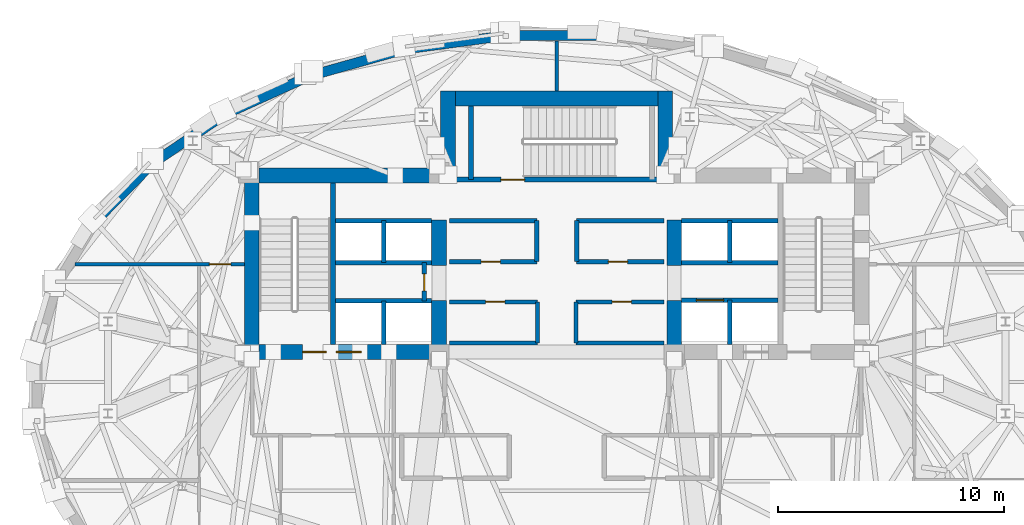
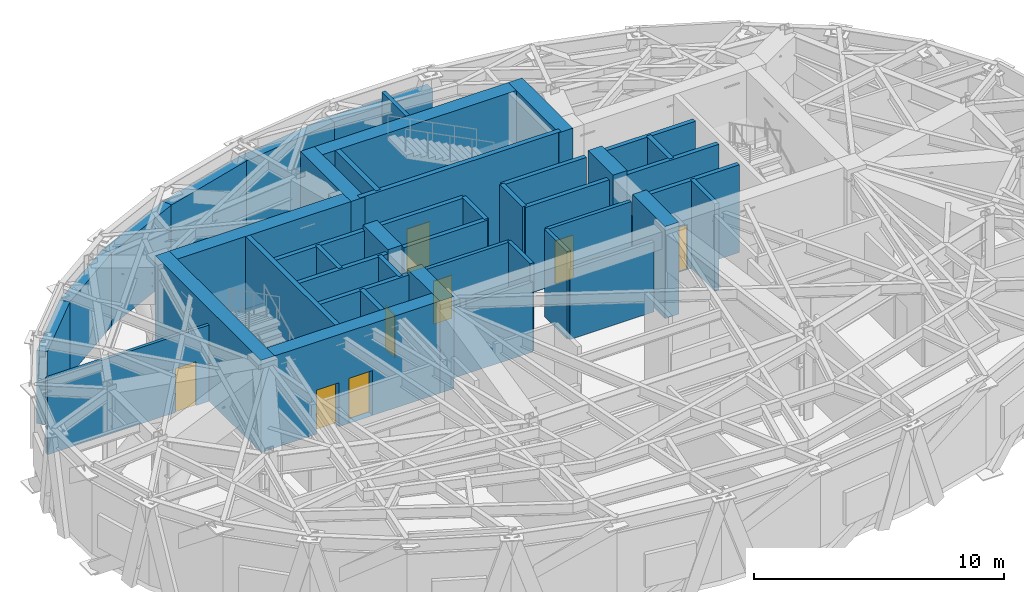
# One storey, part 7 of 12: 44 walls, 10 doors, 10 openings.
"""IFC4 building model written with IfcOpenShell, lengths in metres."""

from ifc_helpers import new_model, si_unit, direction, frame, frame_2d, origin, place, context, subcontext, project, spatial, rectangle, extrude, material, layer, layer_set, type_object, element, fill, save


model = new_model("IFC4")

# Units and contexts
model_context = context("Model", 3, precision=1e-05, world=origin(), true_north=direction((0.0, 1.0)))
body_context = subcontext(model_context, "Body", "Model", "MODEL_VIEW")
ifc_project = project(units=[si_unit("LENGTHUNIT", "METRE"), si_unit("AREAUNIT", "SQUARE_METRE"), si_unit("VOLUMEUNIT", "CUBIC_METRE"), si_unit("PLANEANGLEUNIT", "RADIAN"), si_unit("MASSUNIT", "GRAM", prefix="KILO")], contexts=[model_context])

# Site, building, storey
site_placement = place(None, origin())
site = spatial("IfcSite", under=ifc_project, at=site_placement, CompositionType="ELEMENT")
building_placement = place(site_placement, origin())
building = spatial("IfcBuilding", under=site, at=building_placement, Name="Keldmark Tower", CompositionType="ELEMENT")
storey_placement = place(building_placement, frame((0.0, 0.0, 201.39990234375)))
storey = spatial("IfcBuildingStorey", under=building, at=storey_placement, Name="L56", CompositionType="ELEMENT", Elevation=201.39990234375)

# Wall, opening, door
ifc_material_1 = material(Name="Acoustic Double-Layer Gypsum Corridor Partition", Category="gypsum")
ifc_layer_1 = layer(ifc_material_1, 0.139892578125)
ifc_layer_set_1 = layer_set([ifc_layer_1], Name="Acoustic Double-Layer Gypsum Corridor Partition")
wall_type_1 = type_object("IfcWallType", Name="Acoustic Corridor Partition 140 mm", PredefinedType="PARTITIONING", material=ifc_layer_set_1)
wall_1_placement = place(storey_placement, frame((-21.27490234375, 5.39990234375, 0.0), z_axis=(0.0, 0.0, 1.0), x_axis=(1.0, 0.0, 0.0)))
wall_1 = element("IfcWall", 1, at=wall_1_placement, inside=storey, type_object=wall_type_1, Name="L56 Acoustic Corridor Partition 140 mm PCOR-WN", PredefinedType="PARTITIONING", context=body_context, shape_type="SweptSolid", body=[
    extrude(rectangle(XDim=7.474853515625, YDim=0.139892578125, at=frame_2d((3.7373046875, 0.0))), origin(), (0.0, 0.0, 1.0), 3.733154296875),
])
opening_1_placement = place(wall_1_placement, frame((5.92431640625, 0.0, 0.0)))
opening_1 = element("IfcOpeningElement", 2, at=opening_1_placement, cuts=wall_1, Name="Opening D-AWC95", PredefinedType="OPENING", context=body_context, shape_type="SweptSolid", body=[
    extrude(rectangle(XDim=0.949951171875, YDim=2.14990234375, at=frame_2d((0.47509765625, 1.074951171875))), frame((0.0, 0.079833984375, 0.0), z_axis=(0.0, -1.0, 0.0), x_axis=(1.0, 0.0, 0.0)), (0.0, 0.0, 1.0), 0.159912109375),
])
ifc_material_2 = material(Name="Painted Solid-Core Architectural Wood", Category="wood")
door_type_1 = type_object("IfcDoorType", Name="Accessible WC Door 950x2150", OperationType="NOTDEFINED", PredefinedType="DOOR", material=ifc_material_2)
door_1_placement = place(opening_1_placement, origin())
door_1 = element("IfcDoor", 3, at=door_1_placement, inside=storey, type_object=door_type_1, Name="L56 Accessible WC Door 950x2150 D-NRNW-L56", OperationType="SINGLE_SWING_LEFT", OverallHeight=2.14990234375, OverallWidth=0.949951171875, PredefinedType="DOOR", context=body_context, shape_type="SweptSolid", body=[
    extrude(rectangle(XDim=0.949951171875, YDim=2.14990234375, at=frame_2d((0.47509765625, 1.074951171875))), frame((0.0, 0.02490234375, 0.0), z_axis=(0.0, -1.0, 0.0), x_axis=(1.0, 0.0, 0.0)), (0.0, 0.0, 1.0), 0.050048828125),
])
fill(opening_1, door_1)

# Wall
ifc_material_3 = material(Name="Type X Fire-Rated Gypsum Partition Assembly", Category="gypsum")
ifc_layer_2 = layer(ifc_material_3, 0.1650390625)
ifc_layer_set_2 = layer_set([ifc_layer_2], Name="Type X Fire-Rated Gypsum Partition Assembly")
wall_type_2 = type_object("IfcWallType", Name="Rated Partition 165 mm", PredefinedType="PARTITIONING", material=ifc_layer_set_2)
wall_2_placement = place(storey_placement, frame((-4.739990234375, 1.919921875, 0.0), z_axis=(0.0, 0.0, 1.0), x_axis=(1.0, 0.0, 0.0)))
element("IfcWall", 4, at=wall_2_placement, inside=storey, type_object=wall_type_2, Name="L56 Rated Partition 165 mm REC-LW-S", PredefinedType="PARTITIONING", context=body_context, shape_type="SweptSolid", body=[
    extrude(rectangle(XDim=3.889892578125, YDim=0.1650390625, at=frame_2d((1.94482421875, 0.0))), origin(), (0.0, 0.0, 1.0), 3.420166015625),
])

# Wall, opening, door
wall_3_placement = place(storey_placement, frame((-4.739990234375, 3.739990234375, 0.0), z_axis=(0.0, 0.0, 1.0), x_axis=(1.0, 0.0, 0.0)))
wall_3 = element("IfcWall", 5, at=wall_3_placement, inside=storey, type_object=wall_type_2, Name="L56 Rated Partition 165 mm REC-LW-N", PredefinedType="PARTITIONING", context=body_context, shape_type="SweptSolid", body=[
    extrude(rectangle(XDim=3.889892578125, YDim=0.1650390625, at=frame_2d((1.94482421875, 0.0))), origin(), (0.0, 0.0, 1.0), 4.280029296875),
])
opening_2_placement = place(wall_3_placement, frame((1.60009765625, 0.0, 0.0)))
opening_2 = element("IfcOpeningElement", 6, at=opening_2_placement, cuts=wall_3, Name="Opening D-SV085", PredefinedType="OPENING", context=body_context, shape_type="SweptSolid", body=[
    extrude(rectangle(XDim=0.85009765625, YDim=2.10009765625, at=frame_2d((0.425048828125, 1.050048828125))), frame((0.0, 0.092529296875, 0.0), z_axis=(0.0, -1.0, 0.0), x_axis=(1.0, 0.0, 0.0)), (0.0, 0.0, 1.0), 0.18505859375),
])
ifc_material_4 = material(Name="Painted Hollow Metal Door Assembly", Category="metal")
door_type_2 = type_object("IfcDoorType", Name="Service Door 850x2100", OperationType="NOTDEFINED", PredefinedType="DOOR", material=ifc_material_4)
door_2_placement = place(opening_2_placement, origin())
door_2 = element("IfcDoor", 7, at=door_2_placement, inside=storey, type_object=door_type_2, Name="L56 Service Door 850x2100 D-RECLW1-L56", OperationType="SINGLE_SWING_LEFT", OverallHeight=2.10009765625, OverallWidth=0.85009765625, PredefinedType="DOOR", context=body_context, shape_type="SweptSolid", body=[
    extrude(rectangle(XDim=0.85009765625, YDim=2.10009765625, at=frame_2d((0.425048828125, 1.050048828125))), frame((0.0, 0.02490234375, 0.0), z_axis=(0.0, -1.0, 0.0), x_axis=(1.0, 0.0, 0.0)), (0.0, 0.0, 1.0), 0.050048828125),
])
fill(opening_2, door_2)

# Walls
wall_4_placement = place(storey_placement, frame((-0.85009765625, 1.919921875, 0.0), z_axis=(0.0, 0.0, 1.0), x_axis=(0.0, 1.0, 0.0)))
element("IfcWall", 8, at=wall_4_placement, inside=storey, type_object=wall_type_2, Name="L56 Rated Partition 165 mm REC-LW-E", PredefinedType="PARTITIONING", context=body_context, shape_type="SweptSolid", body=[
    extrude(rectangle(XDim=1.820068359375, YDim=0.1650390625, at=frame_2d((0.91015625, 0.0))), origin(), (0.0, 0.0, 1.0), 4.280029296875),
])
wall_5_placement = place(storey_placement, frame((0.85009765625, 1.919921875, 0.0), z_axis=(0.0, 0.0, 1.0), x_axis=(1.0, 0.0, 0.0)))
element("IfcWall", 9, at=wall_5_placement, inside=storey, type_object=wall_type_2, Name="L56 Rated Partition 165 mm REC-LE-S", PredefinedType="PARTITIONING", context=body_context, shape_type="SweptSolid", body=[
    extrude(rectangle(XDim=3.889892578125, YDim=0.1650390625, at=frame_2d((1.94482421875, 0.0))), origin(), (0.0, 0.0, 1.0), 3.420166015625),
])

# Wall, opening, door
wall_6_placement = place(storey_placement, frame((0.85009765625, 3.739990234375, 0.0), z_axis=(0.0, 0.0, 1.0), x_axis=(1.0, 0.0, 0.0)))
wall_6 = element("IfcWall", 10, at=wall_6_placement, inside=storey, type_object=wall_type_2, Name="L56 Rated Partition 165 mm REC-LE-N", PredefinedType="PARTITIONING", context=body_context, shape_type="SweptSolid", body=[
    extrude(rectangle(XDim=3.889892578125, YDim=0.1650390625, at=frame_2d((1.94482421875, 0.0))), origin(), (0.0, 0.0, 1.0), 4.280029296875),
])
opening_3_placement = place(wall_6_placement, frame((1.60009765625, 0.0, 0.0)))
opening_3 = element("IfcOpeningElement", 11, at=opening_3_placement, cuts=wall_6, Name="Opening D-SV085", PredefinedType="OPENING", context=body_context, shape_type="SweptSolid", body=[
    extrude(rectangle(XDim=0.85009765625, YDim=2.10009765625, at=frame_2d((0.425048828125, 1.050048828125))), frame((0.0, 0.092529296875, 0.0), z_axis=(0.0, -1.0, 0.0), x_axis=(1.0, 0.0, 0.0)), (0.0, 0.0, 1.0), 0.18505859375),
])
door_3_placement = place(opening_3_placement, origin())
door_3 = element("IfcDoor", 12, at=door_3_placement, inside=storey, type_object=door_type_2, Name="L56 Service Door 850x2100 D-RECLE1-L56", OperationType="SINGLE_SWING_RIGHT", OverallHeight=2.10009765625, OverallWidth=0.85009765625, PredefinedType="DOOR", context=body_context, shape_type="SweptSolid", body=[
    extrude(rectangle(XDim=0.85009765625, YDim=2.10009765625, at=frame_2d((0.425048828125, 1.050048828125))), frame((0.0, 0.02490234375, 0.0), z_axis=(0.0, -1.0, 0.0), x_axis=(1.0, 0.0, 0.0)), (0.0, 0.0, 1.0), 0.050048828125),
])
fill(opening_3, door_3)

# Walls
wall_7_placement = place(storey_placement, frame((0.85009765625, 1.919921875, 0.0), z_axis=(0.0, 0.0, 1.0), x_axis=(0.0, 1.0, 0.0)))
element("IfcWall", 13, at=wall_7_placement, inside=storey, type_object=wall_type_2, Name="L56 Rated Partition 165 mm REC-LE-W", PredefinedType="PARTITIONING", context=body_context, shape_type="SweptSolid", body=[
    extrude(rectangle(XDim=1.820068359375, YDim=0.1650390625, at=frame_2d((0.91015625, 0.0))), origin(), (0.0, 0.0, 1.0), 4.280029296875),
])
wall_8_placement = place(storey_placement, frame((0.0, 13.050048828125, 0.0), z_axis=(0.0, 0.0, 1.0), x_axis=(0.0, 1.0, 0.0)))
element("IfcWall", 14, at=wall_8_placement, inside=storey, type_object=wall_type_2, Name="L56 Rated Partition 165 mm NPL-DIV", PredefinedType="PARTITIONING", context=body_context, shape_type="SweptSolid", body=[
    extrude(rectangle(XDim=2.225830078125, YDim=0.1650390625, at=frame_2d((1.11279296875, 0.0))), origin(), (0.0, 0.0, 1.0), 4.280029296875),
])
ifc_material_5 = material(Name="Fire-Resistant Type X Gypsum Shaftliner Coreboard", Category="gypsum")
ifc_layer_3 = layer(ifc_material_5, 0.199951171875)
ifc_layer_set_3 = layer_set([ifc_layer_3], Name="Fire-Resistant Type X Gypsum Shaftliner Coreboard")
wall_type_3 = type_object("IfcWallType", Name="Shaft Wall 200 mm", PredefinedType="SOLIDWALL", material=ifc_layer_set_3)
wall_9_placement = place(storey_placement, frame((-9.780029296875, 3.780029296875, 0.0), z_axis=(0.0, 0.0, 1.0), x_axis=(1.0, 0.0, 0.0)))
element("IfcWall", 15, at=wall_9_placement, inside=storey, type_object=wall_type_3, Name="L56 Shaft Wall 200 mm HW-W-S", PredefinedType="SOLIDWALL", context=body_context, shape_type="SweptSolid", body=[
    extrude(rectangle(XDim=4.255126953125, YDim=0.199951171875, at=frame_2d((2.12744140625, 0.0))), origin(), (0.0, 0.0, 1.0), 4.280029296875),
])
wall_10_placement = place(storey_placement, frame((-7.64990234375, 1.85009765625, 0.0), z_axis=(0.0, 0.0, 1.0), x_axis=(0.0, 1.0, 0.0)))
element("IfcWall", 16, at=wall_10_placement, inside=storey, type_object=wall_type_3, Name="L56 Shaft Wall 200 mm HW-W-M", PredefinedType="SOLIDWALL", context=body_context, shape_type="SweptSolid", body=[
    extrude(rectangle(XDim=1.929931640625, YDim=0.199951171875, at=frame_2d((0.96484375, 0.0))), origin(), (0.0, 0.0, 1.0), 4.280029296875),
])
for number, where, z_axis, x_axis, name in (
    (17, (-9.780029296875, 5.469970703125, 0.0), (0.0, 0.0, 1.0), (1.0, 0.0, 0.0), "L56 Shaft Wall 200 mm HW-W-N"),
    (18, (-9.780029296875, 7.330078125, 0.0), (0.0, 0.0, 1.0), (1.0, 0.0, 0.0), "L56 Shaft Wall 200 mm HW-W-TOP"),
):
    element("IfcWall", number, at=place(storey_placement, frame(where, z_axis=z_axis, x_axis=x_axis)), inside=storey, type_object=wall_type_3, Name=name, PredefinedType="SOLIDWALL", context=body_context, shape_type="SweptSolid", body=[
        extrude(rectangle(XDim=4.255126953125, YDim=0.199951171875, at=frame_2d((2.12744140625, 0.0))), origin(), (0.0, 0.0, 1.0), 4.280029296875),
    ])
wall_11_placement = place(storey_placement, frame((-7.64990234375, 5.469970703125, 0.0), z_axis=(0.0, 0.0, 1.0), x_axis=(0.0, 1.0, 0.0)))
element("IfcWall", 19, at=wall_11_placement, inside=storey, type_object=wall_type_3, Name="L56 Shaft Wall 200 mm HW-W-NM", PredefinedType="SOLIDWALL", context=body_context, shape_type="SweptSolid", body=[
    extrude(rectangle(XDim=1.860107421875, YDim=0.199951171875, at=frame_2d((0.93017578125, 0.0))), origin(), (0.0, 0.0, 1.0), 4.280029296875),
])

# Wall, opening, door
wall_12_placement = place(storey_placement, frame((-5.85009765625, 3.780029296875, 0.0), z_axis=(0.0, 0.0, 1.0), x_axis=(0.0, 1.0, 0.0)))
wall_12 = element("IfcWall", 20, at=wall_12_placement, inside=storey, type_object=wall_type_3, Name="L56 Shaft Wall 200 mm HW-W-CLOSE", PredefinedType="SOLIDWALL", context=body_context, shape_type="SweptSolid", body=[
    extrude(rectangle(XDim=1.68994140625, YDim=0.199951171875, at=frame_2d((0.844970703125, 0.0))), origin(), (0.0, 0.0, 1.0), 4.280029296875),
])
opening_4_placement = place(wall_12_placement, frame((0.449951171875, 0.0, 0.0)))
opening_4 = element("IfcOpeningElement", 21, at=opening_4_placement, cuts=wall_12, Name="Opening D-RS075", PredefinedType="OPENING", context=body_context, shape_type="SweptSolid", body=[
    extrude(rectangle(XDim=0.75, YDim=2.10009765625, at=frame_2d((0.375, 1.050048828125))), frame((0.0, 0.10986328125, 0.0), z_axis=(0.0, -1.0, 0.0), x_axis=(1.0, 0.0, 0.0)), (0.0, 0.0, 1.0), 0.219970703125),
])
ifc_material_6 = material(Name="Galvanized Fire-Rated Access Leaf", Category="metal")
door_type_3 = type_object("IfcDoorType", Name="Riser Access Door 750x2100", OperationType="NOTDEFINED", PredefinedType="DOOR", material=ifc_material_6)
door_4_placement = place(opening_4_placement, origin())
door_4 = element("IfcDoor", 22, at=door_4_placement, inside=storey, type_object=door_type_3, Name="L56 Riser Access Door 750x2100 D-RISHW-L56", OperationType="SINGLE_SWING_RIGHT", OverallHeight=2.10009765625, OverallWidth=0.75, PredefinedType="DOOR", context=body_context, shape_type="SweptSolid", body=[
    extrude(rectangle(XDim=0.75, YDim=2.10009765625, at=frame_2d((0.375, 1.050048828125))), frame((0.0, 0.02490234375, 0.0), z_axis=(0.0, -1.0, 0.0), x_axis=(1.0, 0.0, 0.0)), (0.0, 0.0, 1.0), 0.050048828125),
])
fill(opening_4, door_4)

wall_13_placement = place(storey_placement, frame((5.52490234375, 3.820068359375, 0.0), z_axis=(0.0, 0.0, 1.0), x_axis=(1.0, 0.0, 0.0)))
wall_13 = element("IfcWall", 23, at=wall_13_placement, inside=storey, type_object=wall_type_3, Name="L56 Shaft Wall 200 mm HW-E-S", PredefinedType="SOLIDWALL", context=body_context, shape_type="SweptSolid", body=[
    extrude(rectangle(XDim=4.255126953125, YDim=0.199951171875, at=frame_2d((2.12744140625, 0.0))), origin(), (0.0, 0.0, 1.0), 4.280029296875),
])
opening_5_placement = place(wall_13_placement, frame((0.64990234375, 0.0, 0.0)))
opening_5 = element("IfcOpeningElement", 24, at=opening_5_placement, cuts=wall_13, Name="Opening LD-120", PredefinedType="OPENING", context=body_context, shape_type="SweptSolid", body=[
    extrude(rectangle(XDim=1.199951171875, YDim=2.199951171875, at=frame_2d((0.60009765625, 1.10009765625))), frame((0.0, 0.10986328125, 0.0), z_axis=(0.0, -1.0, 0.0), x_axis=(1.0, 0.0, 0.0)), (0.0, 0.0, 1.0), 0.219970703125),
])
ifc_material_7 = material(Name="Heavy-Duty Brushed Metal Hoistway Sliding Leaf", Category="metal")
door_type_4 = type_object("IfcDoorType", Name="Service Lift Sliding Door 1200x2200", OperationType="SLIDING_TO_RIGHT", PredefinedType="DOOR", material=ifc_material_7)
door_5_placement = place(opening_5_placement, origin())
door_5 = element("IfcDoor", 25, at=door_5_placement, inside=storey, type_object=door_type_4, Name="L56 Service Lift Sliding Door 1200x2200 LD-EL-SV1-L56", OperationType="SLIDING_TO_RIGHT", OverallHeight=2.199951171875, OverallWidth=1.199951171875, PredefinedType="DOOR", context=body_context, shape_type="SweptSolid", body=[
    extrude(rectangle(XDim=1.199951171875, YDim=2.199951171875, at=frame_2d((0.60009765625, 1.10009765625))), frame((0.0, 0.02490234375, 0.0), z_axis=(0.0, -1.0, 0.0), x_axis=(1.0, 0.0, 0.0)), (0.0, 0.0, 1.0), 0.050048828125),
])
fill(opening_5, door_5)

# Walls
wall_14_placement = place(storey_placement, frame((7.64990234375, 1.85009765625, 0.0), z_axis=(0.0, 0.0, 1.0), x_axis=(0.0, 1.0, 0.0)))
element("IfcWall", 26, at=wall_14_placement, inside=storey, type_object=wall_type_3, Name="L56 Shaft Wall 200 mm HW-E-M", PredefinedType="SOLIDWALL", context=body_context, shape_type="SweptSolid", body=[
    extrude(rectangle(XDim=1.969970703125, YDim=0.199951171875, at=frame_2d((0.98486328125, 0.0))), origin(), (0.0, 0.0, 1.0), 4.280029296875),
])
for number, where, z_axis, x_axis, name in (
    (27, (5.52490234375, 5.469970703125, 0.0), (0.0, 0.0, 1.0), (1.0, 0.0, 0.0), "L56 Shaft Wall 200 mm HW-E-N"),
    (28, (5.52490234375, 7.330078125, 0.0), (0.0, 0.0, 1.0), (1.0, 0.0, 0.0), "L56 Shaft Wall 200 mm HW-E-TOP"),
):
    element("IfcWall", number, at=place(storey_placement, frame(where, z_axis=z_axis, x_axis=x_axis)), inside=storey, type_object=wall_type_3, Name=name, PredefinedType="SOLIDWALL", context=body_context, shape_type="SweptSolid", body=[
        extrude(rectangle(XDim=4.255126953125, YDim=0.199951171875, at=frame_2d((2.12744140625, 0.0))), origin(), (0.0, 0.0, 1.0), 4.280029296875),
    ])
wall_15_placement = place(storey_placement, frame((7.64990234375, 5.469970703125, 0.0), z_axis=(0.0, 0.0, 1.0), x_axis=(0.0, 1.0, 0.0)))
element("IfcWall", 29, at=wall_15_placement, inside=storey, type_object=wall_type_3, Name="L56 Shaft Wall 200 mm HW-E-NM", PredefinedType="SOLIDWALL", context=body_context, shape_type="SweptSolid", body=[
    extrude(rectangle(XDim=1.860107421875, YDim=0.199951171875, at=frame_2d((0.93017578125, 0.0))), origin(), (0.0, 0.0, 1.0), 4.280029296875),
])

# Wall, opening, door
wall_16_placement = place(storey_placement, frame((-4.739990234375, 5.52001953125, 0.0), z_axis=(0.0, 0.0, 1.0), x_axis=(1.0, 0.0, 0.0)))
wall_16 = element("IfcWall", 30, at=wall_16_placement, inside=storey, type_object=wall_type_3, Name="L56 Shaft Wall 200 mm MID-OV-S", PredefinedType="SOLIDWALL", context=body_context, shape_type="SweptSolid", body=[
    extrude(rectangle(XDim=3.860107421875, YDim=0.199951171875, at=frame_2d((1.93017578125, 0.0))), origin(), (0.0, 0.0, 1.0), 4.280029296875),
])
opening_6_placement = place(wall_16_placement, frame((1.39990234375, 0.0, 0.0)))
opening_6 = element("IfcOpeningElement", 31, at=opening_6_placement, cuts=wall_16, Name="Opening D-SV085", PredefinedType="OPENING", context=body_context, shape_type="SweptSolid", body=[
    extrude(rectangle(XDim=0.85009765625, YDim=2.10009765625, at=frame_2d((0.425048828125, 1.050048828125))), frame((0.0, 0.10986328125, 0.0), z_axis=(0.0, -1.0, 0.0), x_axis=(1.0, 0.0, 0.0)), (0.0, 0.0, 1.0), 0.219970703125),
])
door_6_placement = place(opening_6_placement, origin())
door_6 = element("IfcDoor", 32, at=door_6_placement, inside=storey, type_object=door_type_2, Name="L56 Service Door 850x2100 D-OVMID-W-L56", OperationType="SINGLE_SWING_LEFT", OverallHeight=2.10009765625, OverallWidth=0.85009765625, PredefinedType="DOOR", context=body_context, shape_type="SweptSolid", body=[
    extrude(rectangle(XDim=0.85009765625, YDim=2.10009765625, at=frame_2d((0.425048828125, 1.050048828125))), frame((0.0, 0.02490234375, 0.0), z_axis=(0.0, -1.0, 0.0), x_axis=(1.0, 0.0, 0.0)), (0.0, 0.0, 1.0), 0.050048828125),
])
fill(opening_6, door_6)

wall_17_placement = place(storey_placement, frame((0.8798828125, 5.52001953125, 0.0), z_axis=(0.0, 0.0, 1.0), x_axis=(1.0, 0.0, 0.0)))
wall_17 = element("IfcWall", 33, at=wall_17_placement, inside=storey, type_object=wall_type_3, Name="L56 Shaft Wall 200 mm MID-OV-SE", PredefinedType="SOLIDWALL", context=body_context, shape_type="SweptSolid", body=[
    extrude(rectangle(XDim=3.860107421875, YDim=0.199951171875, at=frame_2d((1.93017578125, 0.0))), origin(), (0.0, 0.0, 1.0), 4.280029296875),
])
opening_7_placement = place(wall_17_placement, frame((1.39990234375, 0.0, 0.0)))
opening_7 = element("IfcOpeningElement", 34, at=opening_7_placement, cuts=wall_17, Name="Opening D-SV085", PredefinedType="OPENING", context=body_context, shape_type="SweptSolid", body=[
    extrude(rectangle(XDim=0.85009765625, YDim=2.10009765625, at=frame_2d((0.425048828125, 1.050048828125))), frame((0.0, 0.10986328125, 0.0), z_axis=(0.0, -1.0, 0.0), x_axis=(1.0, 0.0, 0.0)), (0.0, 0.0, 1.0), 0.219970703125),
])
door_7_placement = place(opening_7_placement, origin())
door_7 = element("IfcDoor", 35, at=door_7_placement, inside=storey, type_object=door_type_2, Name="L56 Service Door 850x2100 D-OVMID-E-L56", OperationType="SINGLE_SWING_RIGHT", OverallHeight=2.10009765625, OverallWidth=0.85009765625, PredefinedType="DOOR", context=body_context, shape_type="SweptSolid", body=[
    extrude(rectangle(XDim=0.85009765625, YDim=2.10009765625, at=frame_2d((0.425048828125, 1.050048828125))), frame((0.0, 0.02490234375, 0.0), z_axis=(0.0, -1.0, 0.0), x_axis=(1.0, 0.0, 0.0)), (0.0, 0.0, 1.0), 0.050048828125),
])
fill(opening_7, door_7)

# Walls
for number, where, z_axis, x_axis, name in (
    (36, (-4.739990234375, 7.330078125, 0.0), (0.0, 0.0, 1.0), (1.0, 0.0, 0.0), "L56 Shaft Wall 200 mm MID-OV-N"),
    (37, (0.8798828125, 7.330078125, 0.0), (0.0, 0.0, 1.0), (1.0, 0.0, 0.0), "L56 Shaft Wall 200 mm MID-OV-NE"),
):
    element("IfcWall", number, at=place(storey_placement, frame(where, z_axis=z_axis, x_axis=x_axis)), inside=storey, type_object=wall_type_3, Name=name, PredefinedType="SOLIDWALL", context=body_context, shape_type="SweptSolid", body=[
        extrude(rectangle(XDim=3.860107421875, YDim=0.199951171875, at=frame_2d((1.93017578125, 0.0))), origin(), (0.0, 0.0, 1.0), 4.280029296875),
    ])
for number, where, z_axis, x_axis, name in (
    (38, (-0.8798828125, 5.52001953125, 0.0), (0.0, 0.0, 1.0), (0.0, 1.0, 0.0), "L56 Shaft Wall 200 mm MID-OV-CW"),
    (39, (0.8798828125, 5.52001953125, 0.0), (0.0, 0.0, 1.0), (0.0, 1.0, 0.0), "L56 Shaft Wall 200 mm MID-OV-CE"),
):
    element("IfcWall", number, at=place(storey_placement, frame(where, z_axis=z_axis, x_axis=x_axis)), inside=storey, type_object=wall_type_3, Name=name, PredefinedType="SOLIDWALL", context=body_context, shape_type="SweptSolid", body=[
        extrude(rectangle(XDim=1.81005859375, YDim=0.199951171875, at=frame_2d((0.905029296875, 0.0))), origin(), (0.0, 0.0, 1.0), 4.280029296875),
    ])
ifc_material_8 = material(Name="Concrete C50/60", Category="concrete")
ifc_layer_4 = layer(ifc_material_8, 0.219970703125)
ifc_layer_set_4 = layer_set([ifc_layer_4], Name="Concrete C50/60")
wall_type_4 = type_object("IfcWallType", Name="Stair Core Shear Wall 220 mm", PredefinedType="SHEAR", material=ifc_layer_set_4)
wall_18_placement = place(storey_placement, frame((-9.889892578125, 1.85009765625, 0.0), z_axis=(0.0, 0.0, 1.0), x_axis=(0.0, 1.0, 0.0)))
element("IfcWall", 40, at=wall_18_placement, inside=storey, type_object=wall_type_4, Name="L56 West Stair Core Shear Wall", PredefinedType="SHEAR", context=body_context, shape_type="SweptSolid", body=[
    extrude(rectangle(XDim=7.14990234375, YDim=0.219970703125, at=frame_2d((3.574951171875, 0.0))), origin(), (0.0, 0.0, 1.0), 4.5),
])

# Wall, opening, door
wall_19_placement = place(storey_placement, frame((-4.699951171875, 9.139892578125, 0.0), z_axis=(0.0, 0.0, 1.0), x_axis=(1.0, 0.0, 0.0)))
wall_19 = element("IfcWall", 41, at=wall_19_placement, inside=storey, type_object=wall_type_4, Name="L56 Central Stair Core South Shear Wall", PredefinedType="SHEAR", context=body_context, shape_type="SweptSolid", body=[
    extrude(rectangle(XDim=9.300048828125, YDim=0.219970703125, at=frame_2d((4.64990234375, 0.0))), origin(), (0.0, 0.0, 1.0), 4.5),
])
opening_8_placement = place(wall_19_placement, frame((2.22998046875, 0.0, 0.0)))
opening_8 = element("IfcOpeningElement", 42, at=opening_8_placement, cuts=wall_19, Name="Opening D-ST105", PredefinedType="OPENING", context=body_context, shape_type="SweptSolid", body=[
    extrude(rectangle(XDim=1.050048828125, YDim=2.14990234375, at=frame_2d((0.52490234375, 1.074951171875))), frame((0.0, 0.119873046875, 0.0), z_axis=(0.0, -1.0, 0.0), x_axis=(1.0, 0.0, 0.0)), (0.0, 0.0, 1.0), 0.239990234375),
])
ifc_material_9 = material(Name="Hollow Metal Fire-Rated Door Assembly", Category="metal")
door_type_5 = type_object("IfcDoorType", Name="Stair Fire Door 1050x2150", OperationType="NOTDEFINED", PredefinedType="DOOR", material=ifc_material_9)
door_8_placement = place(opening_8_placement, origin())
door_8 = element("IfcDoor", 43, at=door_8_placement, inside=storey, type_object=door_type_5, Name="L56 Stair Fire Door 1050x2150 D-ST3-L56", OperationType="SINGLE_SWING_LEFT", OverallHeight=2.14990234375, OverallWidth=1.050048828125, PredefinedType="DOOR", context=body_context, shape_type="SweptSolid", body=[
    extrude(rectangle(XDim=1.050048828125, YDim=2.14990234375, at=frame_2d((0.52490234375, 1.074951171875))), frame((0.0, 0.02490234375, 0.0), z_axis=(0.0, -1.0, 0.0), x_axis=(1.0, 0.0, 0.0)), (0.0, 0.0, 1.0), 0.050048828125),
])
fill(opening_8, door_8)

# Walls
wall_20_placement = place(storey_placement, frame((-3.784912109375, 9.139892578125, 0.0), z_axis=(0.0, 0.0, 1.0), x_axis=(0.0, 1.0, 0.0)))
element("IfcWall", 44, at=wall_20_placement, inside=storey, type_object=wall_type_4, Name="L56 Central Stair Core West Shear Wall", PredefinedType="SHEAR", context=body_context, shape_type="SweptSolid", body=[
    extrude(rectangle(XDim=3.260009765625, YDim=0.219970703125, at=frame_2d((1.6298828125, 0.0))), origin(), (0.0, 0.0, 1.0), 4.5),
])
ifc_material_10 = material(Name="Ironspot Manganese Brick and Kasota Buff Limestone Spandrel Assembly", Category="masonry")
ifc_layer_5 = layer(ifc_material_10, 0.43994140625)
ifc_layer_set_5 = layer_set([ifc_layer_5], Name="Ironspot Manganese Brick and Kasota Buff Limestone Spandrel Assembly")
wall_type_5 = type_object("IfcWallType", Name="Tower Brick Pier and Spandrel Wall 440 mm", PredefinedType="STANDARD", material=ifc_layer_set_5)
wall_21_placement = place(storey_placement, frame((-2.28369140625, 15.50390625, 0.0), z_axis=(0.0, 0.0, 1.0), x_axis=(1.0, 0.0, 0.0)))
element("IfcWall", 45, at=wall_21_placement, inside=storey, type_object=wall_type_5, Name="L56 Exterior Brick and Spandrel Wall 08", PredefinedType="STANDARD", context=body_context, shape_type="SweptSolid", body=[
    extrude(rectangle(XDim=4.5673828125, YDim=0.43994140625, at=frame_2d((2.28369140625, 0.0))), origin(), (0.0, 0.0, 1.0), 3.5751953125),
])
wall_22_placement = place(storey_placement, frame((-6.734130859375, 14.901611328125, 0.0), z_axis=(0.0, 0.0, 1.0), x_axis=(0.991025333234, 0.133674189316, 0.0)))
element("IfcWall", 46, at=wall_22_placement, inside=storey, type_object=wall_type_5, Name="L56 Exterior Brick and Spandrel Wall 09", PredefinedType="STANDARD", context=body_context, shape_type="SweptSolid", body=[
    extrude(rectangle(XDim=4.520263671875, YDim=0.43994140625, at=frame_2d((2.26025390625, 0.0))), origin(), (0.0, 0.0, 1.0), 3.5751953125),
])
wall_23_placement = place(storey_placement, frame((-10.924072265625, 13.72265625, 0.0), z_axis=(0.0, 0.0, 1.0), x_axis=(0.962743881764, 0.270414899969, 0.0)))
element("IfcWall", 47, at=wall_23_placement, inside=storey, type_object=wall_type_5, Name="L56 Exterior Brick and Spandrel Wall 10", PredefinedType="STANDARD", context=body_context, shape_type="SweptSolid", body=[
    extrude(rectangle(XDim=4.38330078125, YDim=0.43994140625, at=frame_2d((2.191650390625, 0.0))), origin(), (0.0, 0.0, 1.0), 3.5751953125),
])
wall_24_placement = place(storey_placement, frame((-14.690673828125, 12.01318359375, 0.0), z_axis=(0.0, 0.0, 1.0), x_axis=(0.910881102331, 0.412668895624, 0.0)))
element("IfcWall", 48, at=wall_24_placement, inside=storey, type_object=wall_type_5, Name="L56 Exterior Brick and Spandrel Wall 11", PredefinedType="STANDARD", context=body_context, shape_type="SweptSolid", body=[
    extrude(rectangle(XDim=4.169677734375, YDim=0.43994140625, at=frame_2d((2.0849609375, 0.0))), origin(), (0.0, 0.0, 1.0), 3.5751953125),
])
wall_25_placement = place(storey_placement, frame((-17.8876953125, 9.84130859375, 0.0), z_axis=(0.0, 0.0, 1.0), x_axis=(0.827644957237, 0.561252015373, 0.0)))
element("IfcWall", 49, at=wall_25_placement, inside=storey, type_object=wall_type_5, Name="L56 Exterior Brick and Spandrel Wall 12", PredefinedType="STANDARD", context=body_context, shape_type="SweptSolid", body=[
    extrude(rectangle(XDim=3.90234375, YDim=0.43994140625, at=frame_2d((1.951171875, 0.0))), origin(), (0.0, 0.0, 1.0), 3.5751953125),
])
wall_26_placement = place(storey_placement, frame((-20.39208984375, 7.293701171875, 0.0), z_axis=(0.0, 0.0, 1.0), x_axis=(0.701887992659, 0.712287333708, 0.0)))
element("IfcWall", 50, at=wall_26_placement, inside=storey, type_object=wall_type_5, Name="L56 Exterior Brick and Spandrel Wall 13", PredefinedType="STANDARD", context=body_context, shape_type="SweptSolid", body=[
    extrude(rectangle(XDim=3.615478515625, YDim=0.43994140625, at=frame_2d((1.8076171875, 0.0))), origin(), (0.0, 0.0, 1.0), 3.5751953125),
])
ifc_material_11 = material(Name="Concrete C50/60", Category="concrete")
ifc_layer_6 = layer(ifc_material_11, 0.64990234375)
ifc_layer_set_6 = layer_set([ifc_layer_6], Name="Concrete C50/60")
wall_type_6 = type_object("IfcWallType", Name="Upper-Mid Core Shear Wall 650 mm", PredefinedType="SHEAR", material=ifc_layer_set_6)
wall_27_placement = place(storey_placement, frame((-13.47509765625, 1.199951171875, 0.0), z_axis=(0.0, 0.0, 1.0), x_axis=(0.0, 1.0, 0.0)))
element("IfcWall", 51, at=wall_27_placement, inside=storey, type_object=wall_type_6, Name="L56 West Core Outer Shear Wall", PredefinedType="SHEAR", context=body_context, shape_type="SweptSolid", body=[
    extrude(rectangle(XDim=8.449951171875, YDim=0.64990234375, at=frame_2d((4.22509765625, 0.0))), origin(), (0.0, 0.0, 1.0), 4.5),
])
wall_28_placement = place(storey_placement, frame((-13.800048828125, 9.324951171875, 0.0), z_axis=(0.0, 0.0, 1.0), x_axis=(1.0, 0.0, 0.0)))
element("IfcWall", 52, at=wall_28_placement, inside=storey, type_object=wall_type_6, Name="L56 West Core North Shear Wall", PredefinedType="SHEAR", context=body_context, shape_type="SweptSolid", body=[
    extrude(rectangle(XDim=9.324951171875, YDim=0.64990234375, at=frame_2d((4.66259765625, 0.0))), origin(), (0.0, 0.0, 1.0), 4.5),
])

# Wall, openings, doors
wall_29_placement = place(storey_placement, frame((-4.875, 1.52490234375, 0.0), z_axis=(0.0, 0.0, 1.0), x_axis=(-1.0, 0.0, 0.0)))
wall_29 = element("IfcWall", 53, at=wall_29_placement, inside=storey, type_object=wall_type_6, Name="L56 West Core South Shear Wall", PredefinedType="SHEAR", context=body_context, shape_type="SweptSolid", body=[
    extrude(rectangle(XDim=8.925048828125, YDim=0.64990234375, at=frame_2d((4.46240234375, 0.0))), origin(), (0.0, 0.0, 1.0), 4.5),
])
opening_9_placement = place(wall_29_placement, frame((5.304931640625, 0.0, 0.0)))
opening_9 = element("IfcOpeningElement", 54, at=opening_9_placement, cuts=wall_29, Name="Opening D-ST105", PredefinedType="OPENING", context=body_context, shape_type="SweptSolid", body=[
    extrude(rectangle(XDim=1.050048828125, YDim=2.14990234375, at=frame_2d((0.52490234375, 1.074951171875))), frame((0.0, 0.3349609375, 0.0), z_axis=(0.0, -1.0, 0.0), x_axis=(1.0, 0.0, 0.0)), (0.0, 0.0, 1.0), 0.669921875),
])
opening_10_placement = place(wall_29_placement, frame((3.7548828125, 0.0, 0.0)))
opening_10 = element("IfcOpeningElement", 55, at=opening_10_placement, cuts=wall_29, Name="Opening LD-110", PredefinedType="OPENING", context=body_context, shape_type="SweptSolid", body=[
    extrude(rectangle(XDim=1.10009765625, YDim=2.199951171875, at=frame_2d((0.550048828125, 1.10009765625))), frame((0.0, 0.3349609375, 0.0), z_axis=(0.0, -1.0, 0.0), x_axis=(1.0, 0.0, 0.0)), (0.0, 0.0, 1.0), 0.669921875),
])
ifc_material_12 = material(Name="Brushed Bronze Hoistway Sliding Leaf", Category="metal")
door_type_6 = type_object("IfcDoorType", Name="Lift Landing Sliding Door 1100x2200", OperationType="SLIDING_TO_LEFT", PredefinedType="DOOR", material=ifc_material_12)
door_9_placement = place(opening_10_placement, origin())
door_9 = element("IfcDoor", 56, at=door_9_placement, inside=storey, type_object=door_type_6, Name="L56 Lift Landing Sliding Door 1100x2200 LD-EL-FS1-L56", OperationType="SLIDING_TO_LEFT", OverallHeight=2.199951171875, OverallWidth=1.10009765625, PredefinedType="DOOR", context=body_context, shape_type="SweptSolid", body=[
    extrude(rectangle(XDim=1.10009765625, YDim=2.199951171875, at=frame_2d((0.550048828125, 1.10009765625))), frame((0.0, 0.02490234375, 0.0), z_axis=(0.0, -1.0, 0.0), x_axis=(1.0, 0.0, 0.0)), (0.0, 0.0, 1.0), 0.050048828125),
])
fill(opening_10, door_9)
door_10_placement = place(opening_9_placement, origin())
door_10 = element("IfcDoor", 57, at=door_10_placement, inside=storey, type_object=door_type_5, Name="L56 Stair Fire Door 1050x2150 D-ST1-L56", OperationType="SINGLE_SWING_RIGHT", OverallHeight=2.14990234375, OverallWidth=1.050048828125, PredefinedType="DOOR", context=body_context, shape_type="SweptSolid", body=[
    extrude(rectangle(XDim=1.050048828125, YDim=2.14990234375, at=frame_2d((0.52490234375, 1.074951171875))), frame((0.0, 0.02490234375, 0.0), z_axis=(0.0, -1.0, 0.0), x_axis=(1.0, 0.0, 0.0)), (0.0, 0.0, 1.0), 0.050048828125),
])
fill(opening_9, door_10)

# Walls
wall_30_placement = place(storey_placement, frame((-5.199951171875, 1.199951171875, 0.0), z_axis=(0.0, 0.0, 1.0), x_axis=(0.0, 1.0, 0.0)))
element("IfcWall", 58, at=wall_30_placement, inside=storey, type_object=wall_type_6, Name="L56 West Core Inner Shear Pier South", PredefinedType="SHEAR", context=body_context, shape_type="SweptSolid", body=[
    extrude(rectangle(XDim=2.60009765625, YDim=0.64990234375, at=frame_2d((1.300048828125, 0.0))), origin(), (0.0, 0.0, 1.0), 4.5),
])
wall_31_placement = place(storey_placement, frame((-5.199951171875, 5.35009765625, 0.0), z_axis=(0.0, 0.0, 1.0), x_axis=(0.0, 1.0, 0.0)))
element("IfcWall", 59, at=wall_31_placement, inside=storey, type_object=wall_type_6, Name="L56 West Core Inner Shear Pier North", PredefinedType="SHEAR", context=body_context, shape_type="SweptSolid", body=[
    extrude(rectangle(XDim=2.0, YDim=0.64990234375, at=frame_2d((1.0, 0.0))), origin(), (0.0, 0.0, 1.0), 4.5),
])
wall_32_placement = place(storey_placement, frame((5.199951171875, 1.199951171875, 0.0), z_axis=(0.0, 0.0, 1.0), x_axis=(0.0, 1.0, 0.0)))
element("IfcWall", 60, at=wall_32_placement, inside=storey, type_object=wall_type_6, Name="L56 East Core Inner Shear Pier South", PredefinedType="SHEAR", context=body_context, shape_type="SweptSolid", body=[
    extrude(rectangle(XDim=2.60009765625, YDim=0.64990234375, at=frame_2d((1.300048828125, 0.0))), origin(), (0.0, 0.0, 1.0), 4.5),
])
wall_33_placement = place(storey_placement, frame((5.199951171875, 5.35009765625, 0.0), z_axis=(0.0, 0.0, 1.0), x_axis=(0.0, 1.0, 0.0)))
element("IfcWall", 61, at=wall_33_placement, inside=storey, type_object=wall_type_6, Name="L56 East Core Inner Shear Pier North", PredefinedType="SHEAR", context=body_context, shape_type="SweptSolid", body=[
    extrude(rectangle(XDim=2.0, YDim=0.64990234375, at=frame_2d((1.0, 0.0))), origin(), (0.0, 0.0, 1.0), 4.5),
])
wall_34_placement = place(storey_placement, frame((-5.125, 12.72509765625, 0.0), z_axis=(0.0, 0.0, 1.0), x_axis=(1.0, 0.0, 0.0)))
element("IfcWall", 62, at=wall_34_placement, inside=storey, type_object=wall_type_6, Name="L56 North Core Shear Wall", PredefinedType="SHEAR", context=body_context, shape_type="SweptSolid", body=[
    extrude(rectangle(XDim=10.25, YDim=0.64990234375, at=frame_2d((5.125, 0.0))), origin(), (0.0, 0.0, 1.0), 4.5),
])
for number, where, z_axis, x_axis, name in (
    (63, (-4.800048828125, 9.0, 0.0), (0.0, 0.0, 1.0), (0.0, 1.0, 0.0), "L56 North Core West Shear Wall"),
    (64, (4.800048828125, 9.0, 0.0), (0.0, 0.0, 1.0), (0.0, 1.0, 0.0), "L56 North Core East Shear Wall"),
):
    element("IfcWall", number, at=place(storey_placement, frame(where, z_axis=z_axis, x_axis=x_axis)), inside=storey, type_object=wall_type_6, Name=name, PredefinedType="SHEAR", context=body_context, shape_type="SweptSolid", body=[
        extrude(rectangle(XDim=4.050048828125, YDim=0.64990234375, at=frame_2d((2.02490234375, 0.0))), origin(), (0.0, 0.0, 1.0), 4.5),
    ])

save(model, "model.ifc")
